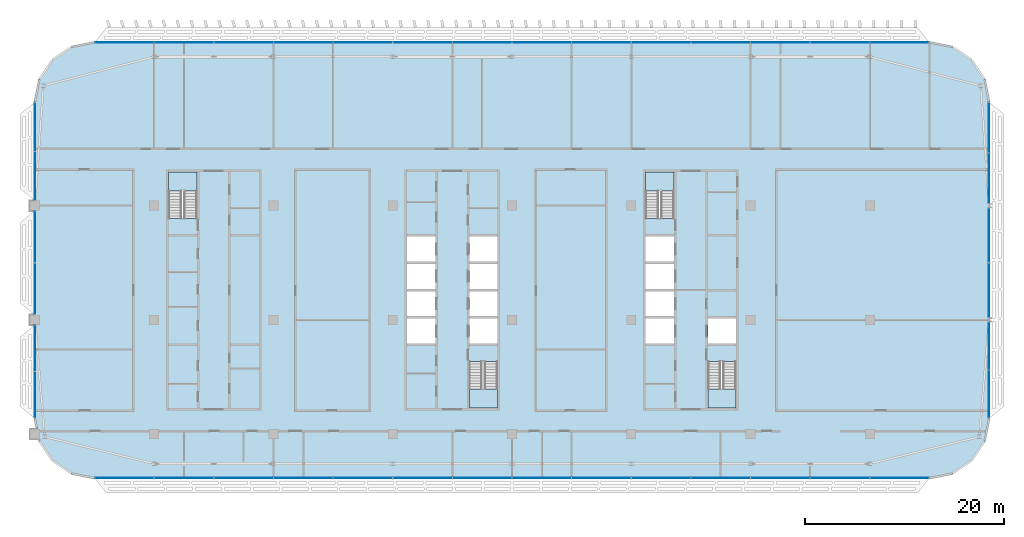
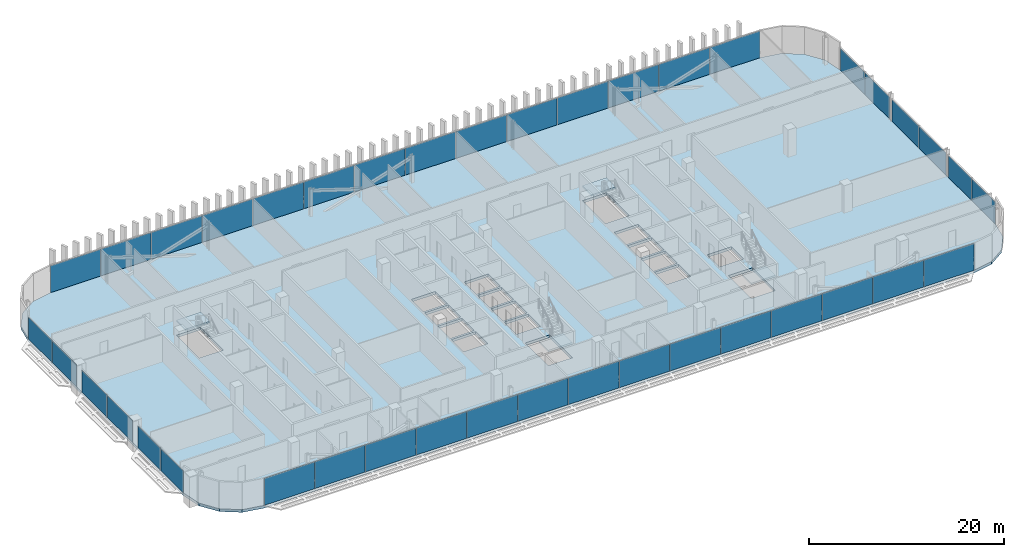
# One storey, part 16 of 32: 40 plates, 5 slabs, 12 elements without a shape of their own.
"""IFC4 building model written with IfcOpenShell, lengths in metres."""

from ifc_helpers import new_model, si_unit, direction, frame, origin, origin_2d, place, context, subcontext, project, spatial, polyline, rectangle, outline, extrude, material, layer, layer_set, type_object, element, aggregate, save


model = new_model("IFC4")

# Units and contexts
model_context = context("Model", 3, precision=1e-05, world=origin(), true_north=direction((0.0, 1.0)))
body_context = subcontext(model_context, "Body", "Model", "MODEL_VIEW")
ifc_project = project(units=[si_unit("LENGTHUNIT", "METRE"), si_unit("AREAUNIT", "SQUARE_METRE"), si_unit("VOLUMEUNIT", "CUBIC_METRE"), si_unit("PLANEANGLEUNIT", "RADIAN"), si_unit("MASSUNIT", "GRAM", prefix="KILO")], contexts=[model_context])

# Site, building, storey
site_placement = place(None, origin())
site = spatial("IfcSite", under=ifc_project, at=site_placement, CompositionType="ELEMENT")
building_placement = place(site_placement, origin())
building = spatial("IfcBuilding", under=site, at=building_placement, Name="Mahtab Terrace Research Tower", CompositionType="ELEMENT")
storey_placement = place(building_placement, frame((0.0, 0.0, 240.0)))
storey = spatial("IfcBuildingStorey", under=building, at=storey_placement, Name="L58", CompositionType="ELEMENT", Elevation=240.0)

# Stair, slab
ifc_material_1 = material(Name="Exit stair half-turn")
stair_type = type_object("IfcStairType", Name="Exit stair half-turn", PredefinedType="HALF_TURN_STAIR", material=ifc_material_1)
stair_1_placement = place(storey_placement, origin())
stair_1 = element("IfcStair", 1, at=stair_1_placement, inside=storey, type_object=stair_type, Name="L58 Protected exit stair ST1", PredefinedType="HALF_TURN_STAIR")
ifc_material_2 = material(Name="Concrete C40/50", Category="concrete")
ifc_layer_1 = layer(ifc_material_2, 0.199951171875)
ifc_layer_set_1 = layer_set([ifc_layer_1], Name="Exit stair landing 200")
slab_type_1 = type_object("IfcSlabType", Name="Exit stair landing 200", PredefinedType="LANDING", material=ifc_layer_set_1)
slab_1_placement = place(storey_placement, frame((0.0, 0.0, 1.699951171875)))
slab_1 = element("IfcSlab", 2, at=slab_1_placement, type_object=slab_type_1, Name="ST1 landing 1", PredefinedType="LANDING", context=body_context, shape_type="SweptSolid", body=[
    extrude(outline(polyline([(-25.699951171875, 12.97509765625), (-25.699951171875, 14.875), (-28.550048828125, 14.875), (-28.550048828125, 12.97509765625), (-25.699951171875, 12.97509765625)])), origin(), (0.0, 0.0, 1.0), 0.199951171875),
])
aggregate(stair_1, [slab_1])

stair_2_placement = place(storey_placement, origin())
stair_2 = element("IfcStair", 3, at=stair_2_placement, inside=storey, type_object=stair_type, Name="L58 Protected exit stair ST2", PredefinedType="HALF_TURN_STAIR")
slab_2_placement = place(storey_placement, frame((0.0, 0.0, 1.699951171875)))
slab_2 = element("IfcSlab", 4, at=slab_2_placement, type_object=slab_type_1, Name="ST2 landing 1", PredefinedType="LANDING", context=body_context, shape_type="SweptSolid", body=[
    extrude(outline(polyline([(1.699951171875, -6.97509765625), (1.699951171875, -8.875), (4.550048828125, -8.875), (4.550048828125, -6.97509765625), (1.699951171875, -6.97509765625)])), origin(), (0.0, 0.0, 1.0), 0.199951171875),
])
aggregate(stair_2, [slab_2])

stair_3_placement = place(storey_placement, origin())
stair_3 = element("IfcStair", 5, at=stair_3_placement, inside=storey, type_object=stair_type, Name="L58 Protected exit stair ST3", PredefinedType="HALF_TURN_STAIR")
slab_3_placement = place(storey_placement, frame((0.0, 0.0, 1.699951171875)))
slab_3 = element("IfcSlab", 6, at=slab_3_placement, type_object=slab_type_1, Name="ST3 landing 1", PredefinedType="LANDING", context=body_context, shape_type="SweptSolid", body=[
    extrude(outline(polyline([(22.300048828125, 12.97509765625), (22.300048828125, 14.875), (19.449951171875, 14.875), (19.449951171875, 12.97509765625), (22.300048828125, 12.97509765625)])), origin(), (0.0, 0.0, 1.0), 0.199951171875),
])
aggregate(stair_3, [slab_3])

stair_4_placement = place(storey_placement, origin())
stair_4 = element("IfcStair", 7, at=stair_4_placement, inside=storey, type_object=stair_type, Name="L58 Protected exit stair ST4", PredefinedType="HALF_TURN_STAIR")
slab_4_placement = place(storey_placement, frame((0.0, 0.0, 1.699951171875)))
slab_4 = element("IfcSlab", 8, at=slab_4_placement, type_object=slab_type_1, Name="ST4 landing 1", PredefinedType="LANDING", context=body_context, shape_type="SweptSolid", body=[
    extrude(outline(polyline([(25.699951171875, -6.97509765625), (25.699951171875, -8.875), (28.550048828125, -8.875), (28.550048828125, -6.97509765625), (25.699951171875, -6.97509765625)])), origin(), (0.0, 0.0, 1.0), 0.199951171875),
])
aggregate(stair_4, [slab_4])

# Curtain wall, plates
ifc_material_3 = material(Name="Office ribbon curtain wall")
curtain_wall_type = type_object("IfcCurtainWallType", Name="Office ribbon curtain wall", PredefinedType="NOTDEFINED", material=ifc_material_3)
curtain_wall_1_placement = place(storey_placement, origin())
curtain_wall_1 = element("IfcCurtainWall", 9, at=curtain_wall_1_placement, inside=storey, type_object=curtain_wall_type, Name="EN.L58.3.3", PredefinedType="NOTDEFINED")
ifc_material_4 = material(Name="Dark glazing", Category="glass")
ifc_layer_2 = layer(ifc_material_4, 0.030029296875)
ifc_layer_set_2 = layer_set([ifc_layer_2], Name="Office ribbon curtain wall glazing panel")
plate_type_1 = type_object("IfcPlateType", Name="Office ribbon curtain wall glazing panel", PredefinedType="CURTAIN_PANEL", material=ifc_layer_set_2)
plate_1_placement = place(storey_placement, frame((44.985107421875, 27.9169921875, 0.0), z_axis=(0.0, 0.0, 1.0), x_axis=(-1.0, 0.0, 0.0)))
plate_1 = element("IfcPlate", 10, at=plate_1_placement, type_object=plate_type_1, Name="CWO-7 panel 1", PredefinedType="CURTAIN_PANEL", context=body_context, shape_type="SweptSolid", body=[
    extrude(rectangle(XDim=5.909912109375, YDim=0.030029296875, at=origin_2d()), origin(), (0.0, 0.0, 1.0), 3.360107421875),
])
plate_2_placement = place(storey_placement, frame((27.0, 27.9169921875, 0.0), z_axis=(0.0, 0.0, 1.0), x_axis=(-1.0, 0.0, 0.0)))
plate_2 = element("IfcPlate", 11, at=plate_2_placement, type_object=plate_type_1, Name="CWO-7 panel 4", PredefinedType="CURTAIN_PANEL", context=body_context, shape_type="SweptSolid", body=[
    extrude(rectangle(XDim=5.93994140625, YDim=0.030029296875, at=origin_2d()), origin(), (0.0, 0.0, 1.0), 3.360107421875),
])
plate_3_placement = place(storey_placement, frame((21.0, 27.9169921875, 0.0), z_axis=(0.0, 0.0, 1.0), x_axis=(-1.0, 0.0, 0.0)))
plate_3 = element("IfcPlate", 12, at=plate_3_placement, type_object=plate_type_1, Name="CWO-7 panel 5", PredefinedType="CURTAIN_PANEL", context=body_context, shape_type="SweptSolid", body=[
    extrude(rectangle(XDim=5.93994140625, YDim=0.030029296875, at=origin_2d()), origin(), (0.0, 0.0, 1.0), 3.360107421875),
])
plate_4_placement = place(storey_placement, frame((15.0, 27.9169921875, 0.0), z_axis=(0.0, 0.0, 1.0), x_axis=(-1.0, 0.0, 0.0)))
plate_4 = element("IfcPlate", 13, at=plate_4_placement, type_object=plate_type_1, Name="CWO-7 panel 6", PredefinedType="CURTAIN_PANEL", context=body_context, shape_type="SweptSolid", body=[
    extrude(rectangle(XDim=5.93994140625, YDim=0.030029296875, at=origin_2d()), origin(), (0.0, 0.0, 1.0), 3.360107421875),
])
plate_5_placement = place(storey_placement, frame((9.0, 27.9169921875, 0.0), z_axis=(0.0, 0.0, 1.0), x_axis=(-1.0, 0.0, 0.0)))
plate_5 = element("IfcPlate", 14, at=plate_5_placement, type_object=plate_type_1, Name="CWO-7 panel 7", PredefinedType="CURTAIN_PANEL", context=body_context, shape_type="SweptSolid", body=[
    extrude(rectangle(XDim=5.93994140625, YDim=0.030029296875, at=origin_2d()), origin(), (0.0, 0.0, 1.0), 3.360107421875),
])
plate_6_placement = place(storey_placement, frame((-9.0, 27.9169921875, 0.0), z_axis=(0.0, 0.0, 1.0), x_axis=(-1.0, 0.0, 0.0)))
plate_6 = element("IfcPlate", 15, at=plate_6_placement, type_object=plate_type_1, Name="CWO-7 panel 10", PredefinedType="CURTAIN_PANEL", context=body_context, shape_type="SweptSolid", body=[
    extrude(rectangle(XDim=5.93994140625, YDim=0.030029296875, at=origin_2d()), origin(), (0.0, 0.0, 1.0), 3.360107421875),
])
plate_7_placement = place(storey_placement, frame((-15.0, 27.9169921875, 0.0), z_axis=(0.0, 0.0, 1.0), x_axis=(-1.0, 0.0, 0.0)))
plate_7 = element("IfcPlate", 16, at=plate_7_placement, type_object=plate_type_1, Name="CWO-7 panel 11", PredefinedType="CURTAIN_PANEL", context=body_context, shape_type="SweptSolid", body=[
    extrude(rectangle(XDim=5.93994140625, YDim=0.030029296875, at=origin_2d()), origin(), (0.0, 0.0, 1.0), 3.360107421875),
])
plate_8_placement = place(storey_placement, frame((-32.985107421875, 27.9169921875, 0.0), z_axis=(0.0, 0.0, 1.0), x_axis=(-1.0, 0.0, 0.0)))
plate_8 = element("IfcPlate", 17, at=plate_8_placement, type_object=plate_type_1, Name="CWO-7 panel 14", PredefinedType="CURTAIN_PANEL", context=body_context, shape_type="SweptSolid", body=[
    extrude(rectangle(XDim=5.909912109375, YDim=0.030029296875, at=origin_2d()), origin(), (0.0, 0.0, 1.0), 3.360107421875),
])

curtain_wall_2_placement = place(storey_placement, origin())
curtain_wall_2 = element("IfcCurtainWall", 18, at=curtain_wall_2_placement, inside=storey, type_object=curtain_wall_type, Name="EN.L58.8.8", PredefinedType="NOTDEFINED")
plate_9_placement = place(storey_placement, frame((-42.0, 19.4228515625, 0.0), z_axis=(0.0, 0.0, 1.0), x_axis=(0.0, -1.0, 0.0)))
plate_9 = element("IfcPlate", 19, at=plate_9_placement, type_object=plate_type_1, Name="CWO-7 panel 1", PredefinedType="CURTAIN_PANEL", context=body_context, shape_type="SweptSolid", body=[
    extrude(rectangle(XDim=4.868408203125, YDim=0.030029296875, at=origin_2d()), origin(), (0.0, 0.0, 1.0), 2.7529296875),
])
plate_10_placement = place(storey_placement, frame((-42.0, 14.494140625, 0.0), z_axis=(0.0, 0.0, 1.0), x_axis=(0.0, -1.0, 0.0)))
plate_10 = element("IfcPlate", 20, at=plate_10_placement, type_object=plate_type_1, Name="CWO-7 panel 2", PredefinedType="CURTAIN_PANEL", context=body_context, shape_type="SweptSolid", body=[
    extrude(rectangle(XDim=4.868408203125, YDim=0.030029296875, at=origin_2d()), origin(), (0.0, 0.0, 1.0), 2.7529296875),
])
aggregate(curtain_wall_2, [plate_9, plate_10])

curtain_wall_3_placement = place(storey_placement, origin())
curtain_wall_3 = element("IfcCurtainWall", 21, at=curtain_wall_3_placement, inside=storey, type_object=curtain_wall_type, Name="EN.L58.8.9", PredefinedType="NOTDEFINED")
plate_11_placement = place(storey_placement, frame((-42.0, 8.360107421875, 0.0), z_axis=(0.0, 0.0, 1.0), x_axis=(0.0, -1.0, 0.0)))
plate_11 = element("IfcPlate", 22, at=plate_11_placement, type_object=plate_type_1, Name="CWO-7 panel 1", PredefinedType="CURTAIN_PANEL", context=body_context, shape_type="SweptSolid", body=[
    extrude(rectangle(XDim=5.159912109375, YDim=0.030029296875, at=origin_2d()), origin(), (0.0, 0.0, 1.0), 2.7529296875),
])
plate_12_placement = place(storey_placement, frame((-42.0, 3.139892578125, 0.0), z_axis=(0.0, 0.0, 1.0), x_axis=(0.0, -1.0, 0.0)))
plate_12 = element("IfcPlate", 23, at=plate_12_placement, type_object=plate_type_1, Name="CWO-7 panel 2", PredefinedType="CURTAIN_PANEL", context=body_context, shape_type="SweptSolid", body=[
    extrude(rectangle(XDim=5.159912109375, YDim=0.030029296875, at=origin_2d()), origin(), (0.0, 0.0, 1.0), 2.7529296875),
])
aggregate(curtain_wall_3, [plate_11, plate_12])

curtain_wall_4_placement = place(storey_placement, origin())
curtain_wall_4 = element("IfcCurtainWall", 24, at=curtain_wall_4_placement, inside=storey, type_object=curtain_wall_type, Name="EN.L58.8.10", PredefinedType="NOTDEFINED")
plate_13_placement = place(storey_placement, frame((-42.0, -2.869140625, 0.0), z_axis=(0.0, 0.0, 1.0), x_axis=(0.0, -1.0, 0.0)))
plate_13 = element("IfcPlate", 25, at=plate_13_placement, type_object=plate_type_1, Name="CWO-7 panel 1", PredefinedType="CURTAIN_PANEL", context=body_context, shape_type="SweptSolid", body=[
    extrude(rectangle(XDim=4.618408203125, YDim=0.030029296875, at=origin_2d()), origin(), (0.0, 0.0, 1.0), 2.7529296875),
])
plate_14_placement = place(storey_placement, frame((-42.0, -7.5478515625, 0.0), z_axis=(0.0, 0.0, 1.0), x_axis=(0.0, -1.0, 0.0)))
plate_14 = element("IfcPlate", 26, at=plate_14_placement, type_object=plate_type_1, Name="CWO-7 panel 2", PredefinedType="CURTAIN_PANEL", context=body_context, shape_type="SweptSolid", body=[
    extrude(rectangle(XDim=4.618408203125, YDim=0.030029296875, at=origin_2d()), origin(), (0.0, 0.0, 1.0), 2.7529296875),
])
aggregate(curtain_wall_4, [plate_13, plate_14])

curtain_wall_5_placement = place(storey_placement, origin())
curtain_wall_5 = element("IfcCurtainWall", 27, at=curtain_wall_5_placement, inside=storey, type_object=curtain_wall_type, Name="EN.L58.13.16", PredefinedType="NOTDEFINED")
plate_15_placement = place(storey_placement, frame((-32.985107421875, -15.9169921875, 0.0), z_axis=(0.0, 0.0, 1.0), x_axis=(1.0, 0.0, 0.0)))
plate_15 = element("IfcPlate", 28, at=plate_15_placement, type_object=plate_type_1, Name="CWO-7 panel 1", PredefinedType="CURTAIN_PANEL", context=body_context, shape_type="SweptSolid", body=[
    extrude(rectangle(XDim=5.909912109375, YDim=0.030029296875, at=origin_2d()), origin(), (0.0, 0.0, 1.0), 3.360107421875),
])
plate_16_placement = place(storey_placement, frame((-15.0, -15.9169921875, 0.0), z_axis=(0.0, 0.0, 1.0), x_axis=(1.0, 0.0, 0.0)))
plate_16 = element("IfcPlate", 29, at=plate_16_placement, type_object=plate_type_1, Name="CWO-7 panel 4", PredefinedType="CURTAIN_PANEL", context=body_context, shape_type="SweptSolid", body=[
    extrude(rectangle(XDim=5.93994140625, YDim=0.030029296875, at=origin_2d()), origin(), (0.0, 0.0, 1.0), 3.360107421875),
])
plate_17_placement = place(storey_placement, frame((-9.0, -15.9169921875, 0.0), z_axis=(0.0, 0.0, 1.0), x_axis=(1.0, 0.0, 0.0)))
plate_17 = element("IfcPlate", 30, at=plate_17_placement, type_object=plate_type_1, Name="CWO-7 panel 5", PredefinedType="CURTAIN_PANEL", context=body_context, shape_type="SweptSolid", body=[
    extrude(rectangle(XDim=5.93994140625, YDim=0.030029296875, at=origin_2d()), origin(), (0.0, 0.0, 1.0), 3.360107421875),
])
plate_18_placement = place(storey_placement, frame((-3.0, -15.9169921875, 0.0), z_axis=(0.0, 0.0, 1.0), x_axis=(1.0, 0.0, 0.0)))
plate_18 = element("IfcPlate", 31, at=plate_18_placement, type_object=plate_type_1, Name="CWO-7 panel 6", PredefinedType="CURTAIN_PANEL", context=body_context, shape_type="SweptSolid", body=[
    extrude(rectangle(XDim=5.93994140625, YDim=0.030029296875, at=origin_2d()), origin(), (0.0, 0.0, 1.0), 3.360107421875),
])
plate_19_placement = place(storey_placement, frame((3.0, -15.9169921875, 0.0), z_axis=(0.0, 0.0, 1.0), x_axis=(1.0, 0.0, 0.0)))
plate_19 = element("IfcPlate", 32, at=plate_19_placement, type_object=plate_type_1, Name="CWO-7 panel 7", PredefinedType="CURTAIN_PANEL", context=body_context, shape_type="SweptSolid", body=[
    extrude(rectangle(XDim=5.93994140625, YDim=0.030029296875, at=origin_2d()), origin(), (0.0, 0.0, 1.0), 3.360107421875),
])
plate_20_placement = place(storey_placement, frame((9.0, -15.9169921875, 0.0), z_axis=(0.0, 0.0, 1.0), x_axis=(1.0, 0.0, 0.0)))
plate_20 = element("IfcPlate", 33, at=plate_20_placement, type_object=plate_type_1, Name="CWO-7 panel 8", PredefinedType="CURTAIN_PANEL", context=body_context, shape_type="SweptSolid", body=[
    extrude(rectangle(XDim=5.93994140625, YDim=0.030029296875, at=origin_2d()), origin(), (0.0, 0.0, 1.0), 3.360107421875),
])
plate_21_placement = place(storey_placement, frame((15.0, -15.9169921875, 0.0), z_axis=(0.0, 0.0, 1.0), x_axis=(1.0, 0.0, 0.0)))
plate_21 = element("IfcPlate", 34, at=plate_21_placement, type_object=plate_type_1, Name="CWO-7 panel 9", PredefinedType="CURTAIN_PANEL", context=body_context, shape_type="SweptSolid", body=[
    extrude(rectangle(XDim=5.93994140625, YDim=0.030029296875, at=origin_2d()), origin(), (0.0, 0.0, 1.0), 3.360107421875),
])
plate_22_placement = place(storey_placement, frame((21.0, -15.9169921875, 0.0), z_axis=(0.0, 0.0, 1.0), x_axis=(1.0, 0.0, 0.0)))
plate_22 = element("IfcPlate", 35, at=plate_22_placement, type_object=plate_type_1, Name="CWO-7 panel 10", PredefinedType="CURTAIN_PANEL", context=body_context, shape_type="SweptSolid", body=[
    extrude(rectangle(XDim=5.93994140625, YDim=0.030029296875, at=origin_2d()), origin(), (0.0, 0.0, 1.0), 3.360107421875),
])
plate_23_placement = place(storey_placement, frame((27.0, -15.9169921875, 0.0), z_axis=(0.0, 0.0, 1.0), x_axis=(1.0, 0.0, 0.0)))
plate_23 = element("IfcPlate", 36, at=plate_23_placement, type_object=plate_type_1, Name="CWO-7 panel 11", PredefinedType="CURTAIN_PANEL", context=body_context, shape_type="SweptSolid", body=[
    extrude(rectangle(XDim=5.93994140625, YDim=0.030029296875, at=origin_2d()), origin(), (0.0, 0.0, 1.0), 3.360107421875),
])
plate_24_placement = place(storey_placement, frame((44.985107421875, -15.9169921875, 0.0), z_axis=(0.0, 0.0, 1.0), x_axis=(1.0, 0.0, 0.0)))
plate_24 = element("IfcPlate", 37, at=plate_24_placement, type_object=plate_type_1, Name="CWO-7 panel 14", PredefinedType="CURTAIN_PANEL", context=body_context, shape_type="SweptSolid", body=[
    extrude(rectangle(XDim=5.909912109375, YDim=0.030029296875, at=origin_2d()), origin(), (0.0, 0.0, 1.0), 3.360107421875),
])

curtain_wall_6_placement = place(storey_placement, origin())
curtain_wall_6 = element("IfcCurtainWall", 38, at=curtain_wall_6_placement, inside=storey, type_object=curtain_wall_type, Name="EN.L58.18.21", PredefinedType="NOTDEFINED")
plate_25_placement = place(storey_placement, frame((54.0, -7.470947265625, 0.0), z_axis=(0.0, 0.0, 1.0), x_axis=(0.0, 1.0, 0.0)))
plate_25 = element("IfcPlate", 39, at=plate_25_placement, type_object=plate_type_1, Name="CWO-7 panel 1", PredefinedType="CURTAIN_PANEL", context=body_context, shape_type="SweptSolid", body=[
    extrude(rectangle(XDim=4.77197265625, YDim=0.030029296875, at=origin_2d()), origin(), (0.0, 0.0, 1.0), 2.7529296875),
])
plate_26_placement = place(storey_placement, frame((54.0, -2.638916015625, 0.0), z_axis=(0.0, 0.0, 1.0), x_axis=(0.0, 1.0, 0.0)))
plate_26 = element("IfcPlate", 40, at=plate_26_placement, type_object=plate_type_1, Name="CWO-7 panel 2", PredefinedType="CURTAIN_PANEL", context=body_context, shape_type="SweptSolid", body=[
    extrude(rectangle(XDim=4.77197265625, YDim=0.030029296875, at=origin_2d()), origin(), (0.0, 0.0, 1.0), 2.7529296875),
])
aggregate(curtain_wall_6, [plate_25, plate_26])

curtain_wall_7_placement = place(storey_placement, origin())
curtain_wall_7 = element("IfcCurtainWall", 41, at=curtain_wall_7_placement, inside=storey, type_object=curtain_wall_type, Name="EN.L58.18.22", PredefinedType="NOTDEFINED")
plate_27_placement = place(storey_placement, frame((54.0, 2.986572265625, 0.0), z_axis=(0.0, 0.0, 1.0), x_axis=(0.0, 1.0, 0.0)))
plate_27 = element("IfcPlate", 42, at=plate_27_placement, type_object=plate_type_1, Name="CWO-7 panel 1", PredefinedType="CURTAIN_PANEL", context=body_context, shape_type="SweptSolid", body=[
    extrude(rectangle(XDim=5.467041015625, YDim=0.030029296875, at=origin_2d()), origin(), (0.0, 0.0, 1.0), 2.7529296875),
])
plate_28_placement = place(storey_placement, frame((54.0, 8.513427734375, 0.0), z_axis=(0.0, 0.0, 1.0), x_axis=(0.0, 1.0, 0.0)))
plate_28 = element("IfcPlate", 43, at=plate_28_placement, type_object=plate_type_1, Name="CWO-7 panel 2", PredefinedType="CURTAIN_PANEL", context=body_context, shape_type="SweptSolid", body=[
    extrude(rectangle(XDim=5.467041015625, YDim=0.030029296875, at=origin_2d()), origin(), (0.0, 0.0, 1.0), 2.7529296875),
])
aggregate(curtain_wall_7, [plate_27, plate_28])

curtain_wall_8_placement = place(storey_placement, origin())
curtain_wall_8 = element("IfcCurtainWall", 44, at=curtain_wall_8_placement, inside=storey, type_object=curtain_wall_type, Name="EN.L58.18.23", PredefinedType="NOTDEFINED")
plate_29_placement = place(storey_placement, frame((54.0, 14.263916015625, 0.0), z_axis=(0.0, 0.0, 1.0), x_axis=(0.0, 1.0, 0.0)))
plate_29 = element("IfcPlate", 45, at=plate_29_placement, type_object=plate_type_1, Name="CWO-7 panel 1", PredefinedType="CURTAIN_PANEL", context=body_context, shape_type="SweptSolid", body=[
    extrude(rectangle(XDim=5.02197265625, YDim=0.030029296875, at=origin_2d()), origin(), (0.0, 0.0, 1.0), 2.7529296875),
])
plate_30_placement = place(storey_placement, frame((54.0, 19.345947265625, 0.0), z_axis=(0.0, 0.0, 1.0), x_axis=(0.0, 1.0, 0.0)))
plate_30 = element("IfcPlate", 46, at=plate_30_placement, type_object=plate_type_1, Name="CWO-7 panel 2", PredefinedType="CURTAIN_PANEL", context=body_context, shape_type="SweptSolid", body=[
    extrude(rectangle(XDim=5.02197265625, YDim=0.030029296875, at=origin_2d()), origin(), (0.0, 0.0, 1.0), 2.7529296875),
])
aggregate(curtain_wall_8, [plate_29, plate_30])

# Plate
ifc_material_5 = material(Name="Insulated aluminium spandrel panel", Category="aluminium")
ifc_layer_3 = layer(ifc_material_5, 0.030029296875)
ifc_layer_set_3 = layer_set([ifc_layer_3], Name="Office ribbon curtain wall spandrel infill panel")
plate_type_2 = type_object("IfcPlateType", Name="Office ribbon curtain wall spandrel infill panel", PredefinedType="CURTAIN_PANEL", material=ifc_layer_set_3)
plate_31_placement = place(storey_placement, frame((39.0, 27.9169921875, 0.0), z_axis=(0.0, 0.0, 1.0), x_axis=(-1.0, 0.0, 0.0)))
plate_31 = element("IfcPlate", 47, at=plate_31_placement, type_object=plate_type_2, Name="CWO-7 infill panel 2", PredefinedType="CURTAIN_PANEL", context=body_context, shape_type="SweptSolid", body=[
    extrude(rectangle(XDim=5.93994140625, YDim=0.030029296875, at=origin_2d()), origin(), (0.0, 0.0, 1.0), 3.360107421875),
])

plate_32_placement = place(storey_placement, frame((33.0, 27.9169921875, 0.0), z_axis=(0.0, 0.0, 1.0), x_axis=(-1.0, 0.0, 0.0)))
plate_32 = element("IfcPlate", 48, at=plate_32_placement, type_object=plate_type_2, Name="CWO-7 infill panel 3", PredefinedType="CURTAIN_PANEL", context=body_context, shape_type="SweptSolid", body=[
    extrude(rectangle(XDim=5.93994140625, YDim=0.030029296875, at=origin_2d()), origin(), (0.0, 0.0, 1.0), 3.360107421875),
])

plate_33_placement = place(storey_placement, frame((3.0, 27.9169921875, 0.0), z_axis=(0.0, 0.0, 1.0), x_axis=(-1.0, 0.0, 0.0)))
plate_33 = element("IfcPlate", 49, at=plate_33_placement, type_object=plate_type_2, Name="CWO-7 infill panel 8", PredefinedType="CURTAIN_PANEL", context=body_context, shape_type="SweptSolid", body=[
    extrude(rectangle(XDim=5.93994140625, YDim=0.030029296875, at=origin_2d()), origin(), (0.0, 0.0, 1.0), 3.360107421875),
])

plate_34_placement = place(storey_placement, frame((-3.0, 27.9169921875, 0.0), z_axis=(0.0, 0.0, 1.0), x_axis=(-1.0, 0.0, 0.0)))
plate_34 = element("IfcPlate", 50, at=plate_34_placement, type_object=plate_type_2, Name="CWO-7 infill panel 9", PredefinedType="CURTAIN_PANEL", context=body_context, shape_type="SweptSolid", body=[
    extrude(rectangle(XDim=5.93994140625, YDim=0.030029296875, at=origin_2d()), origin(), (0.0, 0.0, 1.0), 3.360107421875),
])

plate_35_placement = place(storey_placement, frame((-21.0, 27.9169921875, 0.0), z_axis=(0.0, 0.0, 1.0), x_axis=(-1.0, 0.0, 0.0)))
plate_35 = element("IfcPlate", 51, at=plate_35_placement, type_object=plate_type_2, Name="CWO-7 infill panel 12", PredefinedType="CURTAIN_PANEL", context=body_context, shape_type="SweptSolid", body=[
    extrude(rectangle(XDim=5.93994140625, YDim=0.030029296875, at=origin_2d()), origin(), (0.0, 0.0, 1.0), 3.360107421875),
])

plate_36_placement = place(storey_placement, frame((-27.0, 27.9169921875, 0.0), z_axis=(0.0, 0.0, 1.0), x_axis=(-1.0, 0.0, 0.0)))
plate_36 = element("IfcPlate", 52, at=plate_36_placement, type_object=plate_type_2, Name="CWO-7 infill panel 13", PredefinedType="CURTAIN_PANEL", context=body_context, shape_type="SweptSolid", body=[
    extrude(rectangle(XDim=5.93994140625, YDim=0.030029296875, at=origin_2d()), origin(), (0.0, 0.0, 1.0), 3.360107421875),
])

aggregate(curtain_wall_1, [plate_1, plate_31, plate_32, plate_2, plate_3, plate_4, plate_5, plate_33, plate_34, plate_6, plate_7, plate_35, plate_36, plate_8])

plate_37_placement = place(storey_placement, frame((-27.0, -15.9169921875, 0.0), z_axis=(0.0, 0.0, 1.0), x_axis=(1.0, 0.0, 0.0)))
plate_37 = element("IfcPlate", 53, at=plate_37_placement, type_object=plate_type_2, Name="CWO-7 infill panel 2", PredefinedType="CURTAIN_PANEL", context=body_context, shape_type="SweptSolid", body=[
    extrude(rectangle(XDim=5.93994140625, YDim=0.030029296875, at=origin_2d()), origin(), (0.0, 0.0, 1.0), 3.360107421875),
])

plate_38_placement = place(storey_placement, frame((-21.0, -15.9169921875, 0.0), z_axis=(0.0, 0.0, 1.0), x_axis=(1.0, 0.0, 0.0)))
plate_38 = element("IfcPlate", 54, at=plate_38_placement, type_object=plate_type_2, Name="CWO-7 infill panel 3", PredefinedType="CURTAIN_PANEL", context=body_context, shape_type="SweptSolid", body=[
    extrude(rectangle(XDim=5.93994140625, YDim=0.030029296875, at=origin_2d()), origin(), (0.0, 0.0, 1.0), 3.360107421875),
])

plate_39_placement = place(storey_placement, frame((33.0, -15.9169921875, 0.0), z_axis=(0.0, 0.0, 1.0), x_axis=(1.0, 0.0, 0.0)))
plate_39 = element("IfcPlate", 55, at=plate_39_placement, type_object=plate_type_2, Name="CWO-7 infill panel 12", PredefinedType="CURTAIN_PANEL", context=body_context, shape_type="SweptSolid", body=[
    extrude(rectangle(XDim=5.93994140625, YDim=0.030029296875, at=origin_2d()), origin(), (0.0, 0.0, 1.0), 3.360107421875),
])

plate_40_placement = place(storey_placement, frame((39.0, -15.9169921875, 0.0), z_axis=(0.0, 0.0, 1.0), x_axis=(1.0, 0.0, 0.0)))
plate_40 = element("IfcPlate", 56, at=plate_40_placement, type_object=plate_type_2, Name="CWO-7 infill panel 13", PredefinedType="CURTAIN_PANEL", context=body_context, shape_type="SweptSolid", body=[
    extrude(rectangle(XDim=5.93994140625, YDim=0.030029296875, at=origin_2d()), origin(), (0.0, 0.0, 1.0), 3.360107421875),
])

aggregate(curtain_wall_5, [plate_15, plate_37, plate_38, plate_16, plate_17, plate_18, plate_19, plate_20, plate_21, plate_22, plate_23, plate_39, plate_40, plate_24])

# Slab
ifc_layer_4 = layer(ifc_material_2, 0.340087890625)
ifc_layer_set_4 = layer_set([ifc_layer_4], Name="PT flat slab 340")
slab_type_2 = type_object("IfcSlabType", Name="PT flat slab 340", PredefinedType="FLOOR", material=ifc_layer_set_4)
slab_5_placement = place(storey_placement, frame((0.0, 0.0, -0.340087890625)))
element("IfcSlab", 57, at=slab_5_placement, inside=storey, type_object=slab_type_2, Name="Floor slab L58", PredefinedType="FLOOR", context=body_context, shape_type="SweptSolid", body=[
    extrude(outline(polyline([(53.54296875, 24.212890625), (52.242919921875, 26.159912109375), (50.2958984375, 27.4599609375), (48.0, 27.9169921875), (-36.0, 27.9169921875), (-38.2958984375, 27.4599609375), (-40.242919921875, 26.159912109375), (-41.54296875, 24.212890625), (-42.0, 21.9169921875), (-42.0, -9.9169921875), (-41.54296875, -12.212890625), (-40.242919921875, -14.159912109375), (-38.2958984375, -15.4599609375), (-36.0, -15.9169921875), (48.0, -15.9169921875), (50.2958984375, -15.4599609375), (52.242919921875, -14.159912109375), (53.54296875, -12.212890625), (54.0, -9.9169921875), (54.0, 21.9169921875), (53.54296875, 24.212890625)]), holes=[polyline([(-4.550048828125, -2.375), (-4.550048828125, 0.125), (-1.699951171875, 0.125), (-1.699951171875, -2.375), (-4.550048828125, -2.375)]), polyline([(1.699951171875, -2.375), (1.699951171875, 0.125), (4.550048828125, 0.125), (4.550048828125, -2.375), (1.699951171875, -2.375)]), polyline([(-4.550048828125, 0.375), (-4.550048828125, 2.875), (-1.699951171875, 2.875), (-1.699951171875, 0.375), (-4.550048828125, 0.375)]), polyline([(1.699951171875, 0.375), (1.699951171875, 2.875), (4.550048828125, 2.875), (4.550048828125, 0.375), (1.699951171875, 0.375)]), polyline([(-4.550048828125, 3.125), (-4.550048828125, 5.625), (-1.699951171875, 5.625), (-1.699951171875, 3.125), (-4.550048828125, 3.125)]), polyline([(1.699951171875, 3.125), (1.699951171875, 5.625), (4.550048828125, 5.625), (4.550048828125, 3.125), (1.699951171875, 3.125)]), polyline([(-4.550048828125, 5.875), (-4.550048828125, 8.375), (-1.699951171875, 8.375), (-1.699951171875, 5.875), (-4.550048828125, 5.875)]), polyline([(1.699951171875, 5.875), (1.699951171875, 8.375), (4.550048828125, 8.375), (4.550048828125, 5.875), (1.699951171875, 5.875)]), polyline([(-28.550048828125, 10.177001953125), (-28.550048828125, 14.875), (-25.699951171875, 14.875), (-25.699951171875, 10.177001953125), (-28.550048828125, 10.177001953125)]), polyline([(1.699951171875, -8.875), (1.699951171875, -4.177001953125), (4.550048828125, -4.177001953125), (4.550048828125, -8.875), (1.699951171875, -8.875)]), polyline([(25.699951171875, -8.875), (25.699951171875, -4.177001953125), (28.550048828125, -4.177001953125), (28.550048828125, -8.875), (25.699951171875, -8.875)]), polyline([(19.449951171875, -2.375), (19.449951171875, 0.125), (22.300048828125, 0.125), (22.300048828125, -2.375), (19.449951171875, -2.375)]), polyline([(25.699951171875, -2.375), (25.699951171875, 0.125), (28.550048828125, 0.125), (28.550048828125, -2.375), (25.699951171875, -2.375)]), polyline([(19.449951171875, 0.375), (19.449951171875, 2.875), (22.300048828125, 2.875), (22.300048828125, 0.375), (19.449951171875, 0.375)]), polyline([(19.449951171875, 3.125), (19.449951171875, 5.625), (22.300048828125, 5.625), (22.300048828125, 3.125), (19.449951171875, 3.125)]), polyline([(19.449951171875, 8.375), (22.300048828125, 8.375), (22.300048828125, 5.875), (19.449951171875, 5.875), (19.449951171875, 8.375)]), polyline([(19.449951171875, 14.875), (22.300048828125, 14.875), (22.300048828125, 10.177001953125), (19.449951171875, 10.177001953125), (19.449951171875, 14.875)])]), origin(), (0.0, 0.0, 1.0), 0.340087890625),
])

save(model, "model.ifc")
